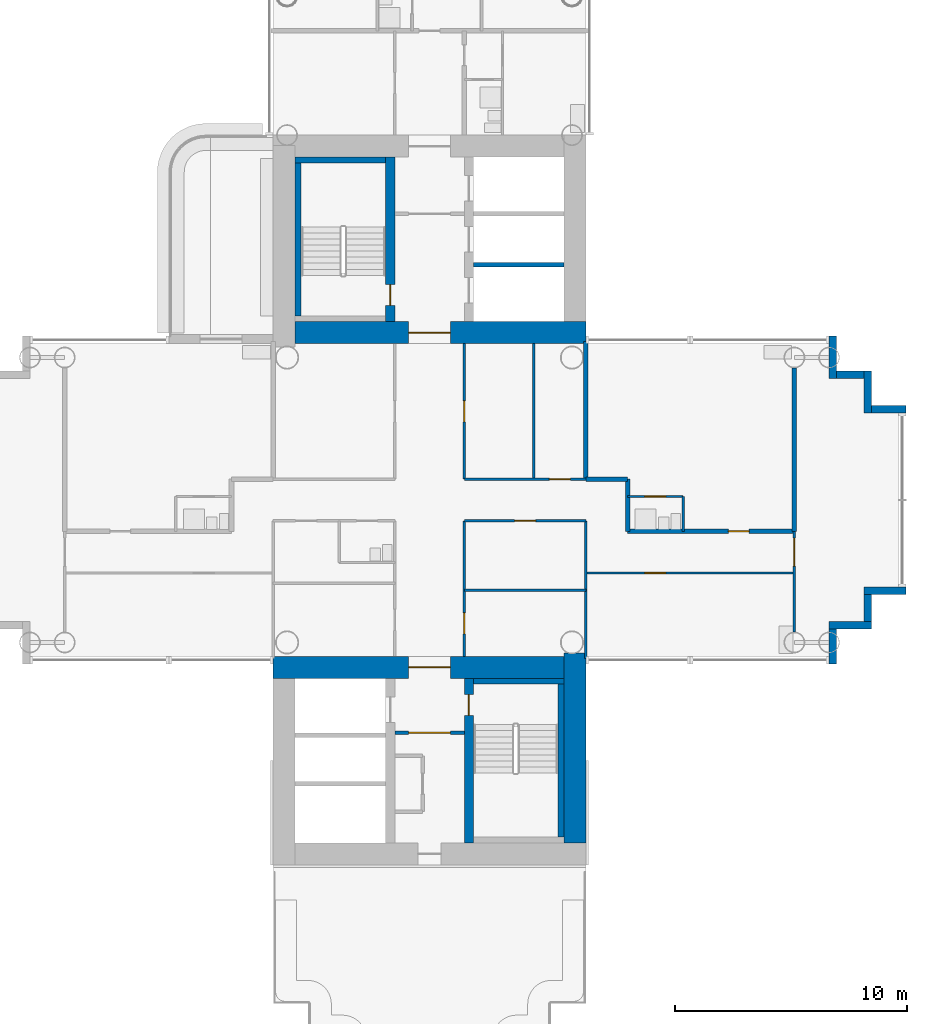
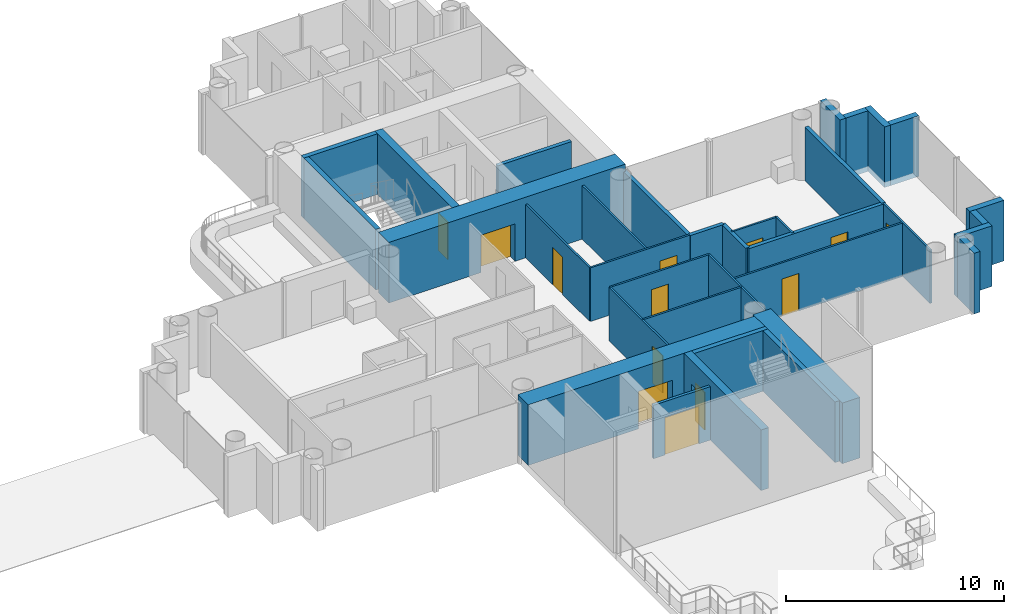
# One storey, part 14 of 22: 35 walls, 13 doors, 13 openings.
"""IFC4 building model written with IfcOpenShell, lengths in metres."""

from ifc_helpers import new_model, si_unit, direction, frame, frame_2d, origin, place, context, subcontext, project, spatial, rectangle, extrude, material, layer, layer_set, type_object, element, fill, save


model = new_model("IFC4")

# Units and contexts
model_context = context("Model", 3, precision=1e-05, world=origin(), true_north=direction((0.0, 1.0)))
body_context = subcontext(model_context, "Body", "Model", "MODEL_VIEW")
ifc_project = project(units=[si_unit("LENGTHUNIT", "METRE"), si_unit("AREAUNIT", "SQUARE_METRE"), si_unit("VOLUMEUNIT", "CUBIC_METRE"), si_unit("PLANEANGLEUNIT", "RADIAN"), si_unit("MASSUNIT", "GRAM", prefix="KILO")], contexts=[model_context])

# Site, building, storey
site_placement = place(None, origin())
site = spatial("IfcSite", under=ifc_project, at=site_placement, CompositionType="ELEMENT")
building_placement = place(site_placement, origin())
building = spatial("IfcBuilding", under=site, at=building_placement, Name="Ipe Terrace Towers", CompositionType="ELEMENT")
storey_placement = place(building_placement, frame((0.0, 0.0, 76.60009765625)))
storey = spatial("IfcBuildingStorey", under=building, at=storey_placement, Name="L20", CompositionType="ELEMENT", Elevation=76.60009765625)

# Walls
ifc_material_1 = material(Name="Concrete C40/50 with buff precast cladding", Category="concrete")
ifc_layer_1 = layer(ifc_material_1, 0.320068359375)
ifc_layer_set_1 = layer_set([ifc_layer_1], Name="BUFF CLADDING WALL 320")
wall_type_1 = type_object("IfcWallType", Name="BUFF CLADDING WALL 320", PredefinedType="STANDARD", material=ifc_layer_set_1)
wall_1_placement = place(storey_placement, frame((53.409912109375, -7.070068359375, -0.300048828125), z_axis=(0.0, 0.0, 1.0), x_axis=(0.0, 1.0, 0.0)))
element("IfcWall", 1, at=wall_1_placement, inside=storey, type_object=wall_type_1, Name="T2-W-L20-04a wall", PredefinedType="STANDARD", context=body_context, shape_type="SweptSolid", body=[
    extrude(rectangle(XDim=1.5, YDim=0.320068359375, at=frame_2d((0.75, 0.0))), origin(), (0.0, 0.0, 1.0), 3.39990234375),
])
wall_2_placement = place(storey_placement, frame((53.25, -5.409912109375, -0.300048828125), z_axis=(0.0, 0.0, 1.0), x_axis=(1.0, 0.0, 0.0)))
element("IfcWall", 2, at=wall_2_placement, inside=storey, type_object=wall_type_1, Name="T2-W-L20-05a wall", PredefinedType="STANDARD", context=body_context, shape_type="SweptSolid", body=[
    extrude(rectangle(XDim=1.820068359375, YDim=0.320068359375, at=frame_2d((0.91015625, 0.0))), origin(), (0.0, 0.0, 1.0), 3.39990234375),
])
wall_3_placement = place(storey_placement, frame((54.909912109375, -5.25, -0.300048828125), z_axis=(0.0, 0.0, 1.0), x_axis=(0.0, 1.0, 0.0)))
element("IfcWall", 3, at=wall_3_placement, inside=storey, type_object=wall_type_1, Name="T2-W-L20-06a wall", PredefinedType="STANDARD", context=body_context, shape_type="SweptSolid", body=[
    extrude(rectangle(XDim=1.179931640625, YDim=0.320068359375, at=frame_2d((0.58984375, 0.0))), origin(), (0.0, 0.0, 1.0), 3.39990234375),
])
wall_4_placement = place(storey_placement, frame((54.75, -3.909912109375, -0.300048828125), z_axis=(0.0, 0.0, 1.0), x_axis=(1.0, 0.0, 0.0)))
element("IfcWall", 4, at=wall_4_placement, inside=storey, type_object=wall_type_1, Name="T2-W-L20-07a wall", PredefinedType="STANDARD", context=body_context, shape_type="SweptSolid", body=[
    extrude(rectangle(XDim=1.820068359375, YDim=0.320068359375, at=frame_2d((0.91015625, 0.0))), origin(), (0.0, 0.0, 1.0), 3.39990234375),
])
wall_5_placement = place(storey_placement, frame((56.570068359375, 3.909912109375, -0.300048828125), z_axis=(0.0, 0.0, 1.0), x_axis=(-1.0, 0.0, 0.0)))
element("IfcWall", 5, at=wall_5_placement, inside=storey, type_object=wall_type_1, Name="T2-W-L20-09a wall", PredefinedType="STANDARD", context=body_context, shape_type="SweptSolid", body=[
    extrude(rectangle(XDim=1.5, YDim=0.320068359375, at=frame_2d((0.75, 0.0))), origin(), (0.0, 0.0, 1.0), 3.39990234375),
])
wall_6_placement = place(storey_placement, frame((54.909912109375, 3.75, -0.300048828125), z_axis=(0.0, 0.0, 1.0), x_axis=(0.0, 1.0, 0.0)))
element("IfcWall", 6, at=wall_6_placement, inside=storey, type_object=wall_type_1, Name="T2-W-L20-10a wall", PredefinedType="STANDARD", context=body_context, shape_type="SweptSolid", body=[
    extrude(rectangle(XDim=1.820068359375, YDim=0.320068359375, at=frame_2d((0.91015625, 0.0))), origin(), (0.0, 0.0, 1.0), 3.39990234375),
])
wall_7_placement = place(storey_placement, frame((54.75, 5.409912109375, -0.300048828125), z_axis=(0.0, 0.0, 1.0), x_axis=(-1.0, 0.0, 0.0)))
element("IfcWall", 7, at=wall_7_placement, inside=storey, type_object=wall_type_1, Name="T2-W-L20-11a wall", PredefinedType="STANDARD", context=body_context, shape_type="SweptSolid", body=[
    extrude(rectangle(XDim=1.179931640625, YDim=0.320068359375, at=frame_2d((0.58984375, 0.0))), origin(), (0.0, 0.0, 1.0), 3.39990234375),
])
wall_8_placement = place(storey_placement, frame((53.409912109375, 5.25, -0.300048828125), z_axis=(0.0, 0.0, 1.0), x_axis=(0.0, 1.0, 0.0)))
element("IfcWall", 8, at=wall_8_placement, inside=storey, type_object=wall_type_1, Name="T2-W-L20-12a wall", PredefinedType="STANDARD", context=body_context, shape_type="SweptSolid", body=[
    extrude(rectangle(XDim=1.820068359375, YDim=0.320068359375, at=frame_2d((0.91015625, 0.0))), origin(), (0.0, 0.0, 1.0), 3.39990234375),
])
ifc_material_2 = material(Name="Gypsum board partition", Category="plasterboard")
ifc_layer_2 = layer(ifc_material_2, 0.10009765625)
ifc_layer_set_2 = layer_set([ifc_layer_2], Name="Gypsum board partition 100 mm")
wall_type_2 = type_object("IfcWallType", Name="Gypsum board partition 100 mm", PredefinedType="PARTITIONING", material=ifc_layer_set_2)
wall_9_placement = place(storey_placement, frame((42.75, -3.89990234375, 0.0), z_axis=(0.0, 0.0, 1.0), x_axis=(-1.0, 0.0, 0.0)))
element("IfcWall", 9, at=wall_9_placement, inside=storey, type_object=wall_type_2, Name="Gypsum board partition T2 L20 W01", PredefinedType="PARTITIONING", context=body_context, shape_type="SweptSolid", body=[
    extrude(rectangle(XDim=5.25, YDim=0.10009765625, at=frame_2d((2.625, 0.0))), origin(), (0.0, 0.0, 1.0), 3.0),
])

# Wall, opening, door
wall_10_placement = place(storey_placement, frame((51.75, -3.14990234375, 0.0), z_axis=(0.0, 0.0, 1.0), x_axis=(-1.0, 0.0, 0.0)))
wall_10 = element("IfcWall", 10, at=wall_10_placement, inside=storey, type_object=wall_type_2, Name="Gypsum board partition T2 L20 W03", PredefinedType="PARTITIONING", context=body_context, shape_type="SweptSolid", body=[
    extrude(rectangle(XDim=9.0, YDim=0.10009765625, at=frame_2d((4.5, 0.0))), origin(), (0.0, 0.0, 1.0), 3.0),
])
opening_1_placement = place(wall_10_placement, frame((5.550048828125, 0.0, 0.0)))
opening_1 = element("IfcOpeningElement", 11, at=opening_1_placement, cuts=wall_10, Name="Opening T2-Z2B-15", PredefinedType="OPENING", context=body_context, shape_type="SweptSolid", body=[
    extrude(rectangle(XDim=0.89990234375, YDim=2.10009765625, at=frame_2d((0.449951171875, 1.050048828125))), frame((0.0, 0.06005859375, 0.0), z_axis=(0.0, -1.0, 0.0), x_axis=(1.0, 0.0, 0.0)), (0.0, 0.0, 1.0), 0.1201171875),
])
ifc_material_3 = material(Name="Timber door leaf", Category="wood")
door_type_1 = type_object("IfcDoorType", Name="Lounge door 900 x 2100", OperationType="NOTDEFINED", PredefinedType="DOOR", material=ifc_material_3)
door_1_placement = place(opening_1_placement, origin())
door_1 = element("IfcDoor", 12, at=door_1_placement, inside=storey, type_object=door_type_1, Name="Lounge door T2-Z2B-15", OperationType="SINGLE_SWING_LEFT", OverallHeight=2.10009765625, OverallWidth=0.89990234375, PredefinedType="DOOR", context=body_context, shape_type="SweptSolid", body=[
    extrude(rectangle(XDim=0.89990234375, YDim=2.10009765625, at=frame_2d((0.449951171875, 1.050048828125))), frame((0.0, 0.02490234375, 0.0), z_axis=(0.0, -1.0, 0.0), x_axis=(1.0, 0.0, 0.0)), (0.0, 0.0, 1.0), 0.050048828125),
])
fill(opening_1, door_1)

wall_11_placement = place(storey_placement, frame((42.75, -0.89990234375, 0.0), z_axis=(0.0, 0.0, 1.0), x_axis=(-1.0, 0.0, 0.0)))
wall_11 = element("IfcWall", 13, at=wall_11_placement, inside=storey, type_object=wall_type_2, Name="Gypsum board partition T2 L20 W08", PredefinedType="PARTITIONING", context=body_context, shape_type="SweptSolid", body=[
    extrude(rectangle(XDim=5.25, YDim=0.10009765625, at=frame_2d((2.625, 0.0))), origin(), (0.0, 0.0, 1.0), 3.0),
])
opening_2_placement = place(wall_11_placement, frame((2.175048828125, 0.0, 0.0)))
opening_2 = element("IfcOpeningElement", 14, at=opening_2_placement, cuts=wall_11, Name="Opening T2-Z2B-05", PredefinedType="OPENING", context=body_context, shape_type="SweptSolid", body=[
    extrude(rectangle(XDim=0.89990234375, YDim=2.10009765625, at=frame_2d((0.449951171875, 1.050048828125))), frame((0.0, 0.06005859375, 0.0), z_axis=(0.0, -1.0, 0.0), x_axis=(1.0, 0.0, 0.0)), (0.0, 0.0, 1.0), 0.1201171875),
])
door_2_placement = place(opening_2_placement, origin())
door_2 = element("IfcDoor", 15, at=door_2_placement, inside=storey, type_object=door_type_1, Name="Lounge door T2-Z2B-05", OperationType="SINGLE_SWING_LEFT", OverallHeight=2.10009765625, OverallWidth=0.89990234375, PredefinedType="DOOR", context=body_context, shape_type="SweptSolid", body=[
    extrude(rectangle(XDim=0.89990234375, YDim=2.10009765625, at=frame_2d((0.449951171875, 1.050048828125))), frame((0.0, 0.02490234375, 0.0), z_axis=(0.0, -1.0, 0.0), x_axis=(1.0, 0.0, 0.0)), (0.0, 0.0, 1.0), 0.050048828125),
])
fill(opening_2, door_2)

wall_12_placement = place(storey_placement, frame((46.949951171875, 0.14990234375, 0.0), z_axis=(0.0, 0.0, 1.0), x_axis=(-1.0, 0.0, 0.0)))
wall_12 = element("IfcWall", 16, at=wall_12_placement, inside=storey, type_object=wall_type_2, Name="Gypsum board partition T2 L20 W10", PredefinedType="PARTITIONING", context=body_context, shape_type="SweptSolid", body=[
    extrude(rectangle(XDim=2.39990234375, YDim=0.10009765625, at=frame_2d((1.199951171875, 0.0))), origin(), (0.0, 0.0, 1.0), 3.0),
])
opening_3_placement = place(wall_12_placement, frame((0.75, 0.0, 0.0)))
opening_3 = element("IfcOpeningElement", 17, at=opening_3_placement, cuts=wall_12, Name="Opening T2-Z2B-14", PredefinedType="OPENING", context=body_context, shape_type="SweptSolid", body=[
    extrude(rectangle(XDim=0.89990234375, YDim=2.10009765625, at=frame_2d((0.449951171875, 1.050048828125))), frame((0.0, 0.06005859375, 0.0), z_axis=(0.0, -1.0, 0.0), x_axis=(1.0, 0.0, 0.0)), (0.0, 0.0, 1.0), 0.1201171875),
])
ifc_material_4 = material(Name="Timber door leaf", Category="wood")
door_type_2 = type_object("IfcDoorType", Name="Bathroom door 900 x 2100", OperationType="NOTDEFINED", PredefinedType="DOOR", material=ifc_material_4)
door_3_placement = place(opening_3_placement, origin())
door_3 = element("IfcDoor", 18, at=door_3_placement, inside=storey, type_object=door_type_2, Name="Bathroom door T2-Z2B-14", OperationType="SINGLE_SWING_LEFT", OverallHeight=2.10009765625, OverallWidth=0.89990234375, PredefinedType="DOOR", context=body_context, shape_type="SweptSolid", body=[
    extrude(rectangle(XDim=0.89990234375, YDim=2.10009765625, at=frame_2d((0.449951171875, 1.050048828125))), frame((0.0, 0.02490234375, 0.0), z_axis=(0.0, -1.0, 0.0), x_axis=(1.0, 0.0, 0.0)), (0.0, 0.0, 1.0), 0.050048828125),
])
fill(opening_3, door_3)

wall_13_placement = place(storey_placement, frame((42.75, 0.89990234375, 0.0), z_axis=(0.0, 0.0, 1.0), x_axis=(-1.0, 0.0, 0.0)))
wall_13 = element("IfcWall", 19, at=wall_13_placement, inside=storey, type_object=wall_type_2, Name="Gypsum board partition T2 L20 W12", PredefinedType="PARTITIONING", context=body_context, shape_type="SweptSolid", body=[
    extrude(rectangle(XDim=5.25, YDim=0.10009765625, at=frame_2d((2.625, 0.0))), origin(), (0.0, 0.0, 1.0), 3.0),
])
opening_4_placement = place(wall_13_placement, frame((0.675048828125, 0.0, 0.0)))
opening_4 = element("IfcOpeningElement", 20, at=opening_4_placement, cuts=wall_13, Name="Opening T2-Z2B-08", PredefinedType="OPENING", context=body_context, shape_type="SweptSolid", body=[
    extrude(rectangle(XDim=0.89990234375, YDim=2.10009765625, at=frame_2d((0.449951171875, 1.050048828125))), frame((0.0, 0.06005859375, 0.0), z_axis=(0.0, -1.0, 0.0), x_axis=(1.0, 0.0, 0.0)), (0.0, 0.0, 1.0), 0.1201171875),
])
door_4_placement = place(opening_4_placement, origin())
door_4 = element("IfcDoor", 21, at=door_4_placement, inside=storey, type_object=door_type_1, Name="Lounge door T2-Z2B-08", OperationType="SINGLE_SWING_LEFT", OverallHeight=2.10009765625, OverallWidth=0.89990234375, PredefinedType="DOOR", context=body_context, shape_type="SweptSolid", body=[
    extrude(rectangle(XDim=0.89990234375, YDim=2.10009765625, at=frame_2d((0.449951171875, 1.050048828125))), frame((0.0, 0.02490234375, 0.0), z_axis=(0.0, -1.0, 0.0), x_axis=(1.0, 0.0, 0.0)), (0.0, 0.0, 1.0), 0.050048828125),
])
fill(opening_4, door_4)

wall_14_placement = place(storey_placement, frame((51.75, -5.699951171875, 0.0), z_axis=(0.0, 0.0, 1.0), x_axis=(0.0, 1.0, 0.0)))
wall_14 = element("IfcWall", 22, at=wall_14_placement, inside=storey, type_object=wall_type_2, Name="Gypsum board partition T2 L20 W19", PredefinedType="PARTITIONING", context=body_context, shape_type="SweptSolid", body=[
    extrude(rectangle(XDim=4.349853515625, YDim=0.10009765625, at=frame_2d((2.1748046875, 0.0))), origin(), (0.0, 0.0, 1.0), 3.0),
])
opening_5_placement = place(wall_14_placement, frame((2.85009765625, 0.0, 0.0)))
opening_5 = element("IfcOpeningElement", 23, at=opening_5_placement, cuts=wall_14, Name="Opening T2-Z2B-16", PredefinedType="OPENING", context=body_context, shape_type="SweptSolid", body=[
    extrude(rectangle(XDim=1.199951171875, YDim=2.10009765625, at=frame_2d((0.60009765625, 1.050048828125))), frame((0.0, 0.06005859375, 0.0), z_axis=(0.0, -1.0, 0.0), x_axis=(1.0, 0.0, 0.0)), (0.0, 0.0, 1.0), 0.1201171875),
])
ifc_material_5 = material(Name="Timber door leaf", Category="wood")
door_type_3 = type_object("IfcDoorType", Name="Lounge door 1200 x 2100", OperationType="NOTDEFINED", PredefinedType="DOOR", material=ifc_material_5)
door_5_placement = place(opening_5_placement, origin())
door_5 = element("IfcDoor", 24, at=door_5_placement, inside=storey, type_object=door_type_3, Name="Lounge door T2-Z2B-16", OperationType="SINGLE_SWING_RIGHT", OverallHeight=2.10009765625, OverallWidth=1.199951171875, PredefinedType="DOOR", context=body_context, shape_type="SweptSolid", body=[
    extrude(rectangle(XDim=1.199951171875, YDim=2.10009765625, at=frame_2d((0.60009765625, 1.050048828125))), frame((0.0, 0.02490234375, 0.0), z_axis=(0.0, -1.0, 0.0), x_axis=(1.0, 0.0, 0.0)), (0.0, 0.0, 1.0), 0.050048828125),
])
fill(opening_5, door_5)

# Walls
wall_15_placement = place(storey_placement, frame((46.949951171875, -1.35009765625, 0.0), z_axis=(0.0, 0.0, 1.0), x_axis=(0.0, 1.0, 0.0)))
element("IfcWall", 25, at=wall_15_placement, inside=storey, type_object=wall_type_2, Name="Gypsum board partition T2 L20 W21", PredefinedType="PARTITIONING", context=body_context, shape_type="SweptSolid", body=[
    extrude(rectangle(XDim=1.5, YDim=0.10009765625, at=frame_2d((0.75, 0.0))), origin(), (0.0, 0.0, 1.0), 3.0),
])
wall_16_placement = place(storey_placement, frame((42.75, -6.85009765625, 0.0), z_axis=(0.0, 0.0, 1.0), x_axis=(0.0, 1.0, 0.0)))
element("IfcWall", 26, at=wall_16_placement, inside=storey, type_object=wall_type_2, Name="Gypsum board partition T2 L20 W23", PredefinedType="PARTITIONING", context=body_context, shape_type="SweptSolid", body=[
    extrude(rectangle(XDim=5.9501953125, YDim=0.10009765625, at=frame_2d((2.97509765625, 0.0))), origin(), (0.0, 0.0, 1.0), 3.0),
])
wall_17_placement = place(storey_placement, frame((40.5, 0.89990234375, 0.0), z_axis=(0.0, 0.0, 1.0), x_axis=(0.0, 1.0, 0.0)))
element("IfcWall", 27, at=wall_17_placement, inside=storey, type_object=wall_type_2, Name="Gypsum board partition T2 L20 W25", PredefinedType="PARTITIONING", context=body_context, shape_type="SweptSolid", body=[
    extrude(rectangle(XDim=5.85009765625, YDim=0.10009765625, at=frame_2d((2.925048828125, 0.0))), origin(), (0.0, 0.0, 1.0), 3.0),
])

# Wall, opening, door
wall_18_placement = place(storey_placement, frame((37.5, -6.75, 0.0), z_axis=(0.0, 0.0, 1.0), x_axis=(0.0, 1.0, 0.0)))
wall_18 = element("IfcWall", 28, at=wall_18_placement, inside=storey, type_object=wall_type_2, Name="Gypsum board partition T2 L20 W28", PredefinedType="PARTITIONING", context=body_context, shape_type="SweptSolid", body=[
    extrude(rectangle(XDim=5.85009765625, YDim=0.10009765625, at=frame_2d((2.925048828125, 0.0))), origin(), (0.0, 0.0, 1.0), 3.0),
])
opening_6_placement = place(wall_18_placement, frame((0.97509765625, 0.0, 0.0)))
opening_6 = element("IfcOpeningElement", 29, at=opening_6_placement, cuts=wall_18, Name="Opening T2-Z2B-06", PredefinedType="OPENING", context=body_context, shape_type="SweptSolid", body=[
    extrude(rectangle(XDim=0.89990234375, YDim=2.10009765625, at=frame_2d((0.449951171875, 1.050048828125))), frame((0.0, 0.06005859375, 0.0), z_axis=(0.0, -1.0, 0.0), x_axis=(1.0, 0.0, 0.0)), (0.0, 0.0, 1.0), 0.1201171875),
])
door_6_placement = place(opening_6_placement, origin())
door_6 = element("IfcDoor", 30, at=door_6_placement, inside=storey, type_object=door_type_1, Name="Lounge door T2-Z2B-06", OperationType="SINGLE_SWING_LEFT", OverallHeight=2.10009765625, OverallWidth=0.89990234375, PredefinedType="DOOR", context=body_context, shape_type="SweptSolid", body=[
    extrude(rectangle(XDim=0.89990234375, YDim=2.10009765625, at=frame_2d((0.449951171875, 1.050048828125))), frame((0.0, 0.02490234375, 0.0), z_axis=(0.0, -1.0, 0.0), x_axis=(1.0, 0.0, 0.0)), (0.0, 0.0, 1.0), 0.050048828125),
])
fill(opening_6, door_6)

wall_19_placement = place(storey_placement, frame((37.5, 0.89990234375, 0.0), z_axis=(0.0, 0.0, 1.0), x_axis=(0.0, 1.0, 0.0)))
wall_19 = element("IfcWall", 31, at=wall_19_placement, inside=storey, type_object=wall_type_2, Name="Gypsum board partition T2 L20 W29", PredefinedType="PARTITIONING", context=body_context, shape_type="SweptSolid", body=[
    extrude(rectangle(XDim=5.85009765625, YDim=0.10009765625, at=frame_2d((2.925048828125, 0.0))), origin(), (0.0, 0.0, 1.0), 3.0),
])
opening_7_placement = place(wall_19_placement, frame((2.47509765625, 0.0, 0.0)))
opening_7 = element("IfcOpeningElement", 32, at=opening_7_placement, cuts=wall_19, Name="Opening T2-Z2B-07", PredefinedType="OPENING", context=body_context, shape_type="SweptSolid", body=[
    extrude(rectangle(XDim=0.89990234375, YDim=2.10009765625, at=frame_2d((0.449951171875, 1.050048828125))), frame((0.0, 0.06005859375, 0.0), z_axis=(0.0, -1.0, 0.0), x_axis=(1.0, 0.0, 0.0)), (0.0, 0.0, 1.0), 0.1201171875),
])
door_7_placement = place(opening_7_placement, origin())
door_7 = element("IfcDoor", 33, at=door_7_placement, inside=storey, type_object=door_type_1, Name="Lounge door T2-Z2B-07", OperationType="SINGLE_SWING_RIGHT", OverallHeight=2.10009765625, OverallWidth=0.89990234375, PredefinedType="DOOR", context=body_context, shape_type="SweptSolid", body=[
    extrude(rectangle(XDim=0.89990234375, YDim=2.10009765625, at=frame_2d((0.449951171875, 1.050048828125))), frame((0.0, 0.02490234375, 0.0), z_axis=(0.0, -1.0, 0.0), x_axis=(1.0, 0.0, 0.0)), (0.0, 0.0, 1.0), 0.050048828125),
])
fill(opening_7, door_7)

ifc_material_6 = material(Name="Gypsum board partition", Category="plasterboard")
ifc_layer_3 = layer(ifc_material_6, 0.14990234375)
ifc_layer_set_3 = layer_set([ifc_layer_3], Name="Gypsum board partition 150 mm")
wall_type_3 = type_object("IfcWallType", Name="Gypsum board partition 150 mm", PredefinedType="PARTITIONING", material=ifc_layer_set_3)
wall_20_placement = place(storey_placement, frame((34.5, -10.050048828125, 0.0), z_axis=(0.0, 0.0, 1.0), x_axis=(1.0, 0.0, 0.0)))
wall_20 = element("IfcWall", 34, at=wall_20_placement, inside=storey, type_object=wall_type_3, Name="Gypsum board partition T2 L20 t2c2-lobby-wall", PredefinedType="PARTITIONING", context=body_context, shape_type="SweptSolid", body=[
    extrude(rectangle(XDim=3.0, YDim=0.14990234375, at=frame_2d((1.5, 0.0))), origin(), (0.0, 0.0, 1.0), 3.0),
])
opening_8_placement = place(wall_20_placement, frame((0.60009765625, 0.0, 0.0)))
opening_8 = element("IfcOpeningElement", 35, at=opening_8_placement, cuts=wall_20, Name="Opening T2C2-VD", PredefinedType="OPENING", context=body_context, shape_type="SweptSolid", body=[
    extrude(rectangle(XDim=1.800048828125, YDim=2.10009765625, at=frame_2d((0.89990234375, 1.050048828125))), frame((0.0, 0.0849609375, 0.0), z_axis=(0.0, -1.0, 0.0), x_axis=(1.0, 0.0, 0.0)), (0.0, 0.0, 1.0), 0.169921875),
])
ifc_material_7 = material(Name="Fire-rated timber door leaf", Category="wood")
door_type_4 = type_object("IfcDoorType", Name="Lobby door 1800 x 2100 FD60", OperationType="NOTDEFINED", PredefinedType="DOOR", material=ifc_material_7)
door_8_placement = place(opening_8_placement, origin())
door_8 = element("IfcDoor", 36, at=door_8_placement, inside=storey, type_object=door_type_4, Name="Lobby door T2C2-VD", OperationType="SINGLE_SWING_LEFT", OverallHeight=2.10009765625, OverallWidth=1.800048828125, PredefinedType="DOOR", context=body_context, shape_type="SweptSolid", body=[
    extrude(rectangle(XDim=1.800048828125, YDim=2.10009765625, at=frame_2d((0.89990234375, 1.050048828125))), frame((0.0, 0.02490234375, 0.0), z_axis=(0.0, -1.0, 0.0), x_axis=(1.0, 0.0, 0.0)), (0.0, 0.0, 1.0), 0.050048828125),
])
fill(opening_8, door_8)

# Wall
ifc_material_8 = material(Name="Gypsum board party wall", Category="plasterboard")
ifc_layer_4 = layer(ifc_material_8, 0.199951171875)
ifc_layer_set_4 = layer_set([ifc_layer_4], Name="Gypsum board party wall 200 mm")
wall_type_4 = type_object("IfcWallType", Name="Gypsum board party wall 200 mm", PredefinedType="SOLIDWALL", material=ifc_layer_set_4)
wall_21_placement = place(storey_placement, frame((41.800048828125, 10.14990234375, 0.0), z_axis=(0.0, 0.0, 1.0), x_axis=(-1.0, 0.0, 0.0)))
element("IfcWall", 37, at=wall_21_placement, inside=storey, type_object=wall_type_4, Name="Gypsum board party wall T2 L20 t2c1-shaft-div1", PredefinedType="SOLIDWALL", context=body_context, shape_type="SweptSolid", body=[
    extrude(rectangle(XDim=3.900146484375, YDim=0.199951171875, at=frame_2d((1.9501953125, 0.0))), origin(), (0.0, 0.0, 1.0), 3.0),
])

# Wall, opening, door
wall_22_placement = place(storey_placement, frame((51.75, -1.35009765625, 0.0), z_axis=(0.0, 0.0, 1.0), x_axis=(-1.0, 0.0, 0.0)))
wall_22 = element("IfcWall", 38, at=wall_22_placement, inside=storey, type_object=wall_type_4, Name="Gypsum board party wall T2 L20 W06", PredefinedType="SOLIDWALL", context=body_context, shape_type="SweptSolid", body=[
    extrude(rectangle(XDim=7.199951171875, YDim=0.199951171875, at=frame_2d((3.60009765625, 0.0))), origin(), (0.0, 0.0, 1.0), 3.0),
])
opening_9_placement = place(wall_22_placement, frame((1.949951171875, 0.0, 0.0)))
opening_9 = element("IfcOpeningElement", 39, at=opening_9_placement, cuts=wall_22, Name="Opening T2-Z2B-13", PredefinedType="OPENING", context=body_context, shape_type="SweptSolid", body=[
    extrude(rectangle(XDim=0.89990234375, YDim=2.10009765625, at=frame_2d((0.449951171875, 1.050048828125))), frame((0.0, 0.10986328125, 0.0), z_axis=(0.0, -1.0, 0.0), x_axis=(1.0, 0.0, 0.0)), (0.0, 0.0, 1.0), 0.219970703125),
])
ifc_material_9 = material(Name="Fire-rated timber door leaf", Category="wood")
door_type_5 = type_object("IfcDoorType", Name="Flat entrance door 900 x 2100 FD30S", OperationType="NOTDEFINED", PredefinedType="DOOR", material=ifc_material_9)
door_9_placement = place(opening_9_placement, origin())
door_9 = element("IfcDoor", 40, at=door_9_placement, inside=storey, type_object=door_type_5, Name="Flat entrance door T2-Z2B-13", OperationType="SINGLE_SWING_LEFT", OverallHeight=2.10009765625, OverallWidth=0.89990234375, PredefinedType="DOOR", context=body_context, shape_type="SweptSolid", body=[
    extrude(rectangle(XDim=0.89990234375, YDim=2.10009765625, at=frame_2d((0.449951171875, 1.050048828125))), frame((0.0, 0.02490234375, 0.0), z_axis=(0.0, -1.0, 0.0), x_axis=(1.0, 0.0, 0.0)), (0.0, 0.0, 1.0), 0.050048828125),
])
fill(opening_9, door_9)

# Walls
wall_23_placement = place(storey_placement, frame((44.550048828125, 0.89990234375, 0.0), z_axis=(0.0, 0.0, 1.0), x_axis=(-1.0, 0.0, 0.0)))
element("IfcWall", 41, at=wall_23_placement, inside=storey, type_object=wall_type_4, Name="Gypsum board party wall T2 L20 W14", PredefinedType="SOLIDWALL", context=body_context, shape_type="SweptSolid", body=[
    extrude(rectangle(XDim=1.800048828125, YDim=0.199951171875, at=frame_2d((0.89990234375, 0.0))), origin(), (0.0, 0.0, 1.0), 3.0),
])
wall_24_placement = place(storey_placement, frame((51.75, -1.35009765625, 0.0), z_axis=(0.0, 0.0, 1.0), x_axis=(0.0, 1.0, 0.0)))
element("IfcWall", 42, at=wall_24_placement, inside=storey, type_object=wall_type_4, Name="Gypsum board party wall T2 L20 W20", PredefinedType="SOLIDWALL", context=body_context, shape_type="SweptSolid", body=[
    extrude(rectangle(XDim=7.050048828125, YDim=0.199951171875, at=frame_2d((3.52490234375, 0.0))), origin(), (0.0, 0.0, 1.0), 3.0),
])
wall_25_placement = place(storey_placement, frame((44.550048828125, -1.35009765625, 0.0), z_axis=(0.0, 0.0, 1.0), x_axis=(0.0, 1.0, 0.0)))
element("IfcWall", 43, at=wall_25_placement, inside=storey, type_object=wall_type_4, Name="Gypsum board party wall T2 L20 W22", PredefinedType="SOLIDWALL", context=body_context, shape_type="SweptSolid", body=[
    extrude(rectangle(XDim=2.25, YDim=0.199951171875, at=frame_2d((1.125, 0.0))), origin(), (0.0, 0.0, 1.0), 3.0),
])
wall_26_placement = place(storey_placement, frame((42.75, 0.89990234375, 0.0), z_axis=(0.0, 0.0, 1.0), x_axis=(0.0, 1.0, 0.0)))
element("IfcWall", 44, at=wall_26_placement, inside=storey, type_object=wall_type_4, Name="Gypsum board party wall T2 L20 W24", PredefinedType="SOLIDWALL", context=body_context, shape_type="SweptSolid", body=[
    extrude(rectangle(XDim=5.9501953125, YDim=0.199951171875, at=frame_2d((2.97509765625, 0.0))), origin(), (0.0, 0.0, 1.0), 3.0),
])
ifc_material_10 = material(Name="Concrete C50/60", Category="concrete")
ifc_layer_5 = layer(ifc_material_10, 0.25)
ifc_layer_set_5 = layer_set([ifc_layer_5], Name="RW250 CORE INFILL WALL 250 C50-60")
wall_type_5 = type_object("IfcWallType", Name="RW250 CORE INFILL WALL 250 C50-60", PredefinedType="SHEAR", material=ifc_layer_set_5)
wall_27_placement = place(storey_placement, frame((34.10009765625, 14.675048828125, 0.0), z_axis=(0.0, 0.0, 1.0), x_axis=(-1.0, 0.0, 0.0)))
element("IfcWall", 45, at=wall_27_placement, inside=storey, type_object=wall_type_5, Name="Core infill wall T2-C1-far", PredefinedType="SHEAR", context=body_context, shape_type="SweptSolid", body=[
    extrude(rectangle(XDim=3.900146484375, YDim=0.25, at=frame_2d((1.9501953125, 0.0))), origin(), (0.0, 0.0, 1.0), 3.39990234375),
])
for number, where, z_axis, x_axis, name in (
    (46, (30.324951171875, 7.949951171875, 0.0), (0.0, 0.0, 1.0), (0.0, 1.0, 0.0), "Core infill wall T2-C1-back"),
    (47, (41.675048828125, -7.949951171875, 0.0), (0.0, 0.0, 1.0), (0.0, -1.0, 0.0), "Core infill wall T2-C2-back"),
):
    element("IfcWall", number, at=place(storey_placement, frame(where, z_axis=z_axis, x_axis=x_axis)), inside=storey, type_object=wall_type_5, Name=name, PredefinedType="SHEAR", context=body_context, shape_type="SweptSolid", body=[
        extrude(rectangle(XDim=6.60009765625, YDim=0.25, at=frame_2d((3.300048828125, 0.0))), origin(), (0.0, 0.0, 1.0), 3.39990234375),
    ])
wall_28_placement = place(storey_placement, frame((37.89990234375, -7.824951171875, 0.0), z_axis=(0.0, 0.0, 1.0), x_axis=(1.0, 0.0, 0.0)))
element("IfcWall", 48, at=wall_28_placement, inside=storey, type_object=wall_type_5, Name="Core infill wall T2-C2-near", PredefinedType="SHEAR", context=body_context, shape_type="SweptSolid", body=[
    extrude(rectangle(XDim=3.900146484375, YDim=0.25, at=frame_2d((1.9501953125, 0.0))), origin(), (0.0, 0.0, 1.0), 3.39990234375),
])

# Wall, opening, door
ifc_material_11 = material(Name="Concrete C50/60", Category="concrete")
ifc_layer_6 = layer(ifc_material_11, 0.39990234375)
ifc_layer_set_6 = layer_set([ifc_layer_6], Name="RW400 CORE SPINE WALL 400 C50-60")
wall_type_6 = type_object("IfcWallType", Name="RW400 CORE SPINE WALL 400 C50-60", PredefinedType="SHEAR", material=ifc_layer_set_6)
wall_29_placement = place(storey_placement, frame((34.300048828125, 7.699951171875, 0.0), z_axis=(0.0, 0.0, 1.0), x_axis=(0.0, 1.0, 0.0)))
wall_29 = element("IfcWall", 49, at=wall_29_placement, inside=storey, type_object=wall_type_6, Name="Core spine wall T2-C1-Z2-SW1", PredefinedType="SHEAR", context=body_context, shape_type="SweptSolid", body=[
    extrude(rectangle(XDim=7.10009765625, YDim=0.39990234375, at=frame_2d((3.550048828125, 0.0))), origin(), (0.0, 0.0, 1.0), 3.39990234375),
])
opening_10_placement = place(wall_29_placement, frame((0.699951171875, 0.0, 0.0)))
opening_10 = element("IfcOpeningElement", 50, at=opening_10_placement, cuts=wall_29, Name="Opening T2C1-SD", PredefinedType="OPENING", context=body_context, shape_type="SweptSolid", body=[
    extrude(rectangle(XDim=0.89990234375, YDim=2.10009765625, at=frame_2d((0.449951171875, 1.050048828125))), frame((0.0, 0.2099609375, 0.0), z_axis=(0.0, -1.0, 0.0), x_axis=(1.0, 0.0, 0.0)), (0.0, 0.0, 1.0), 0.419921875),
])
ifc_material_12 = material(Name="Fire-rated timber door leaf", Category="wood")
door_type_6 = type_object("IfcDoorType", Name="Stair door 900 x 2100 FD60", OperationType="NOTDEFINED", PredefinedType="DOOR", material=ifc_material_12)
door_10_placement = place(opening_10_placement, origin())
door_10 = element("IfcDoor", 51, at=door_10_placement, inside=storey, type_object=door_type_6, Name="Stair door T2C1-SD", OperationType="SINGLE_SWING_LEFT", OverallHeight=2.10009765625, OverallWidth=0.89990234375, PredefinedType="DOOR", context=body_context, shape_type="SweptSolid", body=[
    extrude(rectangle(XDim=0.89990234375, YDim=2.10009765625, at=frame_2d((0.449951171875, 1.050048828125))), frame((0.0, 0.02490234375, 0.0), z_axis=(0.0, -1.0, 0.0), x_axis=(1.0, 0.0, 0.0)), (0.0, 0.0, 1.0), 0.050048828125),
])
fill(opening_10, door_10)

wall_30_placement = place(storey_placement, frame((37.699951171875, -14.800048828125, 0.0), z_axis=(0.0, 0.0, 1.0), x_axis=(0.0, 1.0, 0.0)))
wall_30 = element("IfcWall", 52, at=wall_30_placement, inside=storey, type_object=wall_type_6, Name="Core spine wall T2-C2-Z2-SW2", PredefinedType="SHEAR", context=body_context, shape_type="SweptSolid", body=[
    extrude(rectangle(XDim=7.10009765625, YDim=0.39990234375, at=frame_2d((3.550048828125, 0.0))), origin(), (0.0, 0.0, 1.0), 3.39990234375),
])
opening_11_placement = place(wall_30_placement, frame((5.5, 0.0, 0.0)))
opening_11 = element("IfcOpeningElement", 53, at=opening_11_placement, cuts=wall_30, Name="Opening T2C2-SD", PredefinedType="OPENING", context=body_context, shape_type="SweptSolid", body=[
    extrude(rectangle(XDim=0.89990234375, YDim=2.10009765625, at=frame_2d((0.449951171875, 1.050048828125))), frame((0.0, 0.2099609375, 0.0), z_axis=(0.0, -1.0, 0.0), x_axis=(1.0, 0.0, 0.0)), (0.0, 0.0, 1.0), 0.419921875),
])
door_11_placement = place(opening_11_placement, origin())
door_11 = element("IfcDoor", 54, at=door_11_placement, inside=storey, type_object=door_type_6, Name="Stair door T2C2-SD", OperationType="SINGLE_SWING_RIGHT", OverallHeight=2.10009765625, OverallWidth=0.89990234375, PredefinedType="DOOR", context=body_context, shape_type="SweptSolid", body=[
    extrude(rectangle(XDim=0.89990234375, YDim=2.10009765625, at=frame_2d((0.449951171875, 1.050048828125))), frame((0.0, 0.02490234375, 0.0), z_axis=(0.0, -1.0, 0.0), x_axis=(1.0, 0.0, 0.0)), (0.0, 0.0, 1.0), 0.050048828125),
])
fill(opening_11, door_11)

ifc_material_13 = material(Name="Concrete C50/60", Category="concrete")
ifc_layer_7 = layer(ifc_material_13, 0.949951171875)
ifc_layer_set_7 = layer_set([ifc_layer_7], Name="RW950 CORE WALL 950 C50-60")
wall_type_7 = type_object("IfcWallType", Name="RW950 CORE WALL 950 C50-60", PredefinedType="SHEAR", material=ifc_layer_set_7)
wall_31_placement = place(storey_placement, frame((30.199951171875, 7.22509765625, 0.0), z_axis=(0.0, 0.0, 1.0), x_axis=(1.0, 0.0, 0.0)))
wall_31 = element("IfcWall", 55, at=wall_31_placement, inside=storey, type_object=wall_type_7, Name="Core wall T2-C1-Z2-W01", PredefinedType="SHEAR", context=body_context, shape_type="SweptSolid", body=[
    extrude(rectangle(XDim=12.550048828125, YDim=0.949951171875, at=frame_2d((6.27490234375, 0.0))), origin(), (0.0, 0.0, 1.0), 3.39990234375),
])
opening_12_placement = place(wall_31_placement, frame((4.89990234375, 0.0, 0.0)))
opening_12 = element("IfcOpeningElement", 56, at=opening_12_placement, cuts=wall_31, Name="Opening T2C1-ND", PredefinedType="OPENING", context=body_context, shape_type="SweptSolid", body=[
    extrude(rectangle(XDim=1.800048828125, YDim=2.10009765625, at=frame_2d((0.89990234375, 1.050048828125))), frame((0.0, 0.48486328125, 0.0), z_axis=(0.0, -1.0, 0.0), x_axis=(1.0, 0.0, 0.0)), (0.0, 0.0, 1.0), 0.969970703125),
])
ifc_material_14 = material(Name="Fire-rated timber door leaf", Category="wood")
door_type_7 = type_object("IfcDoorType", Name="Fire door 1800 x 2100 FD30S", OperationType="NOTDEFINED", PredefinedType="DOOR", material=ifc_material_14)
door_12_placement = place(opening_12_placement, origin())
door_12 = element("IfcDoor", 57, at=door_12_placement, inside=storey, type_object=door_type_7, Name="Fire door T2C1-ND", OperationType="SINGLE_SWING_LEFT", OverallHeight=2.10009765625, OverallWidth=1.800048828125, PredefinedType="DOOR", context=body_context, shape_type="SweptSolid", body=[
    extrude(rectangle(XDim=1.800048828125, YDim=2.10009765625, at=frame_2d((0.89990234375, 1.050048828125))), frame((0.0, 0.02490234375, 0.0), z_axis=(0.0, -1.0, 0.0), x_axis=(1.0, 0.0, 0.0)), (0.0, 0.0, 1.0), 0.050048828125),
])
fill(opening_12, door_12)

# Wall
wall_32_placement = place(storey_placement, frame((42.27490234375, -14.800048828125, 0.0), z_axis=(0.0, 0.0, 1.0), x_axis=(0.0, 1.0, 0.0)))
element("IfcWall", 58, at=wall_32_placement, inside=storey, type_object=wall_type_7, Name="Core wall T2-C2-Z2-W02", PredefinedType="SHEAR", context=body_context, shape_type="SweptSolid", body=[
    extrude(rectangle(XDim=8.197998046875, YDim=0.949951171875, at=frame_2d((4.09912109375, 0.0))), origin(), (0.0, 0.0, 1.0), 3.39990234375),
])

# Wall, opening, door
wall_33_placement = place(storey_placement, frame((41.800048828125, -7.22509765625, 0.0), z_axis=(0.0, 0.0, 1.0), x_axis=(-1.0, 0.0, 0.0)))
wall_33 = element("IfcWall", 59, at=wall_33_placement, inside=storey, type_object=wall_type_7, Name="Core wall T2-C2-Z2-W03", PredefinedType="SHEAR", context=body_context, shape_type="SweptSolid", body=[
    extrude(rectangle(XDim=12.550048828125, YDim=0.949951171875, at=frame_2d((6.27490234375, 0.0))), origin(), (0.0, 0.0, 1.0), 3.39990234375),
])
opening_13_placement = place(wall_33_placement, frame((4.89990234375, 0.0, 0.0)))
opening_13 = element("IfcOpeningElement", 60, at=opening_13_placement, cuts=wall_33, Name="Opening T2C2-ND", PredefinedType="OPENING", context=body_context, shape_type="SweptSolid", body=[
    extrude(rectangle(XDim=1.800048828125, YDim=2.10009765625, at=frame_2d((0.89990234375, 1.050048828125))), frame((0.0, 0.48486328125, 0.0), z_axis=(0.0, -1.0, 0.0), x_axis=(1.0, 0.0, 0.0)), (0.0, 0.0, 1.0), 0.969970703125),
])
door_13_placement = place(opening_13_placement, origin())
door_13 = element("IfcDoor", 61, at=door_13_placement, inside=storey, type_object=door_type_7, Name="Fire door T2C2-ND", OperationType="SINGLE_SWING_LEFT", OverallHeight=2.10009765625, OverallWidth=1.800048828125, PredefinedType="DOOR", context=body_context, shape_type="SweptSolid", body=[
    extrude(rectangle(XDim=1.800048828125, YDim=2.10009765625, at=frame_2d((0.89990234375, 1.050048828125))), frame((0.0, 0.02490234375, 0.0), z_axis=(0.0, -1.0, 0.0), x_axis=(1.0, 0.0, 0.0)), (0.0, 0.0, 1.0), 0.050048828125),
])
fill(opening_13, door_13)

save(model, "model.ifc")
